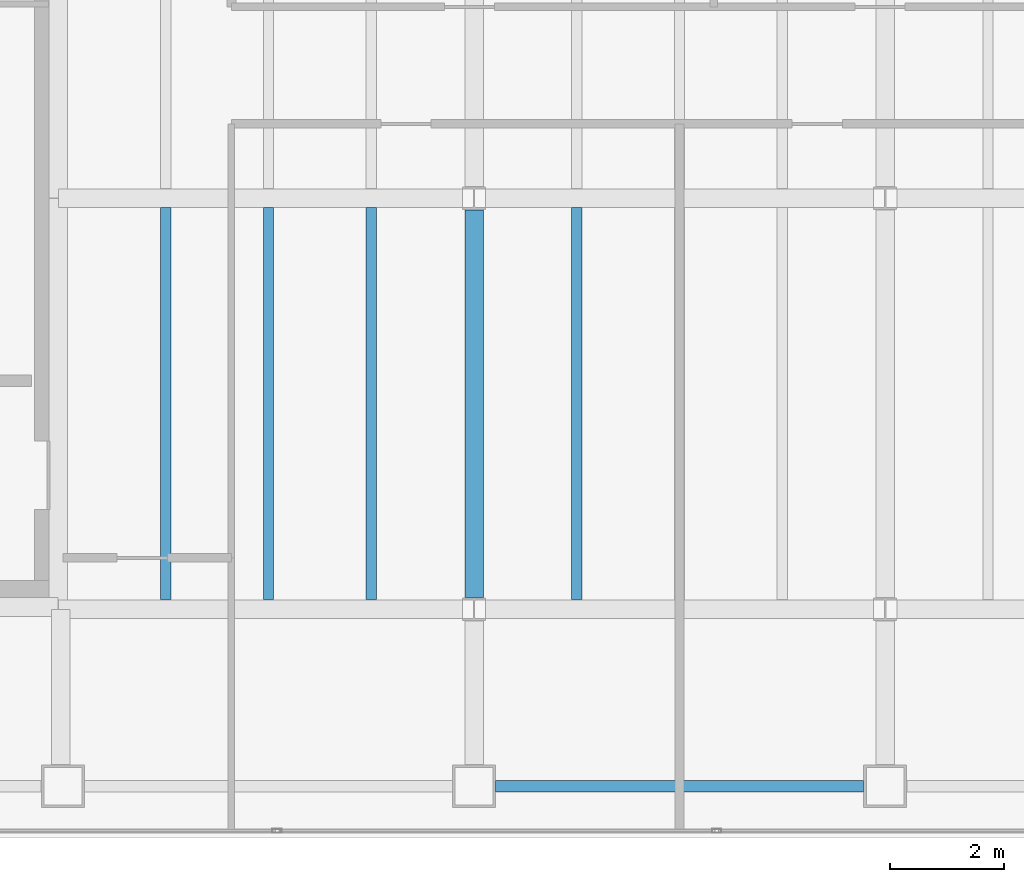
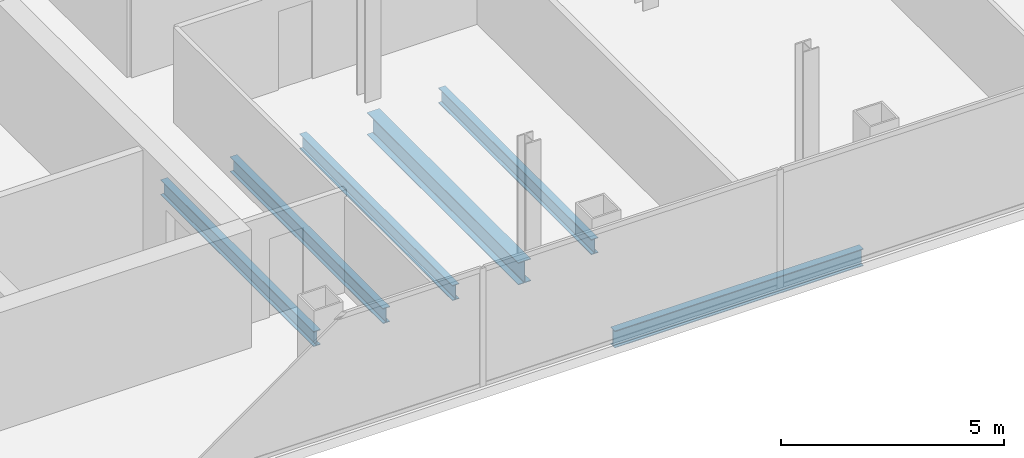
# One storey, part 5 of 23: 6 beams.
"""IFC4 building model written with IfcOpenShell, lengths in metres."""

import ifcopenshell
import ifcopenshell.guid

model = None  # the IFC model being written
_history = None  # IfcOwnerHistory: only IFC2X3 demands one
_inside = {}  # id of a spatial element -> (the spatial element, [elements in it])
_under = {}  # id of a project, library or spatial element -> (it, [spatial elements below it])
_declared = {}  # id of a project -> (the project, [libraries it declares])
_typed = {}  # id of a type object -> (the type object, [elements of that type])
_made_of = {}  # id of a material, layer set ... -> (it, [elements and type objects made of it])


def new_model(schema):
    """Start an empty IFC model of exactly this schema.

    Asked for "IFC4X3", IfcOpenShell would pick the latest addendum, in which some entities
    have other attributes; the version numbers below select the first issue.
    IFC2X3 requires an IfcOwnerHistory on every rooted entity: one is made here for all.
    """
    global model, _history
    if schema == "IFC4X3":
        model = ifcopenshell.file(schema_version=(4, 3, 0, 0))
    else:
        model = ifcopenshell.file(schema=schema)
    _inside.clear()
    _under.clear()
    _declared.clear()
    _typed.clear()
    _made_of.clear()
    _history = None
    if model.schema == "IFC2X3":
        org = make("IfcOrganization", Name="unknown")
        user = make(
            "IfcPersonAndOrganization",
            ThePerson=make("IfcPerson", FamilyName="unknown"),
            TheOrganization=org,
        )
        app = make(
            "IfcApplication",
            ApplicationDeveloper=org,
            Version="unknown",
            ApplicationFullName="unknown",
            ApplicationIdentifier="unknown",
        )
        _history = make(
            "IfcOwnerHistory",
            OwningUser=user,
            OwningApplication=app,
            ChangeAction="ADDED",
            CreationDate=0,
        )
    return model


def make(cls, **values):
    """One entity of the class cls with the attributes given. An attribute that is None is left unset."""
    return model.create_entity(
        cls, **{name: value for name, value in values.items() if value is not None}
    )


def rooted(cls, **values):
    """An entity with a GlobalId (a new one), such as an element, a storey or a relation."""
    return make(cls, GlobalId=ifcopenshell.guid.new(), OwnerHistory=_history, **values)


def si_unit(unit_type, name, prefix=None):
    """IfcSIUnit, for example si_unit("LENGTHUNIT", "METRE", prefix="MILLI")."""
    return make("IfcSIUnit", UnitType=unit_type, Prefix=prefix, Name=name)


def assignment(units):
    """IfcUnitAssignment: the units of a project."""
    return None if units is None else make("IfcUnitAssignment", Units=units)


def point(xyz):
    """IfcCartesianPoint."""
    return None if xyz is None else make("IfcCartesianPoint", Coordinates=xyz)


def direction(xyz):
    """IfcDirection."""
    return None if xyz is None else make("IfcDirection", DirectionRatios=xyz)


def frame(location, z_axis=None, x_axis=None):
    """IfcAxis2Placement3D, a coordinate frame: its origin and axes. An axis left out is left unset."""
    return make(
        "IfcAxis2Placement3D",
        Location=point(location),
        Axis=direction(z_axis),
        RefDirection=direction(x_axis),
    )


def frame_2d(location, x_axis=None):
    """IfcAxis2Placement2D, a coordinate frame in the plane: its origin and x axis."""
    return make(
        "IfcAxis2Placement2D", Location=point(location), RefDirection=direction(x_axis)
    )


def origin():
    """The frame at (0, 0, 0) with its axes left unset."""
    return frame((0.0, 0.0, 0.0))


def origin_2d():
    """The frame at (0, 0) in the plane with its x axis left unset."""
    return frame_2d((0.0, 0.0))


def place(relative_to, where):
    """IfcLocalPlacement: puts the frame where relative to a parent placement (None: the world)."""
    return make(
        "IfcLocalPlacement", PlacementRelTo=relative_to, RelativePlacement=where
    )


def context(
    kind, dimensions, precision=None, world=None, true_north=None, identifier=None
):
    """IfcGeometricRepresentationContext, for example the 3D "Model" context."""
    return make(
        "IfcGeometricRepresentationContext",
        ContextIdentifier=identifier,
        ContextType=kind,
        CoordinateSpaceDimension=dimensions,
        Precision=precision,
        WorldCoordinateSystem=world,
        TrueNorth=true_north,
    )


def subcontext(parent, identifier, kind, view, scale=None):
    """IfcGeometricRepresentationSubContext, for example "Body" below "Model"."""
    return make(
        "IfcGeometricRepresentationSubContext",
        ContextIdentifier=identifier,
        ContextType=kind,
        ParentContext=parent,
        TargetScale=scale,
        TargetView=view,
    )


def project(units=None, contexts=None):
    """IfcProject with its units and contexts."""
    return rooted(
        "IfcProject",
        Name="project",
        RepresentationContexts=contexts,
        UnitsInContext=assignment(units),
    )


def spatial(cls, under=None, at=None, **own):
    """A site, building, storey or space (cls), placed at a placement, below another one or the project."""
    s = rooted(cls, ObjectPlacement=at, **own)
    if under is not None:
        _under.setdefault(under.id(), (under, []))[1].append(s)
    return s


def profile(cls, at=None, kind="AREA", **sizes):
    """A parametric profile (cls). Its sizes go by their IFC names, for example OverallWidth=200.0."""
    return make(cls, ProfileType=kind, Position=at, **sizes)


def i_section(**sizes):
    """IfcIShapeProfileDef."""
    return profile("IfcIShapeProfileDef", **sizes)


def extrude(swept, where, along, depth):
    """IfcExtrudedAreaSolid: the profile swept, set in the frame where, extruded along a direction by depth."""
    return make(
        "IfcExtrudedAreaSolid",
        SweptArea=swept,
        Position=where,
        ExtrudedDirection=direction(along),
        Depth=depth,
    )


def shape(context_of_items, identifier, shape_type, items):
    """IfcShapeRepresentation: the items that make up one representation, for example the "Body"."""
    return make(
        "IfcShapeRepresentation",
        ContextOfItems=context_of_items,
        RepresentationIdentifier=identifier,
        RepresentationType=shape_type,
        Items=items,
    )


def material(Name=None, Category=None):
    """IfcMaterial."""
    return make("IfcMaterial", Name=Name, Category=Category)


def material_profile(
    of_material, cross_section, Name=None, Category=None, Priority=None
):
    """IfcMaterialProfile: a cross section and its material."""
    return make(
        "IfcMaterialProfile",
        Name=Name,
        Material=of_material,
        Profile=cross_section,
        Priority=Priority,
        Category=Category,
    )


def profile_set(profiles, Name=None, composite=None):
    """IfcMaterialProfileSet."""
    return make(
        "IfcMaterialProfileSet",
        Name=Name,
        MaterialProfiles=profiles,
        CompositeProfile=composite,
    )


def made_of(thing, what):
    """Note that an element or type object is made of a material, layer set ...; save() writes the relation."""
    if what is not None:
        _made_of.setdefault(what.id(), (what, []))[1].append(thing)
    return thing


def type_object(cls, material=None, **own):
    """A type object (cls), such as IfcWallType, which elements share."""
    return made_of(rooted(cls, **own), material)


def element(
    cls,
    number,
    at=None,
    inside=None,
    cuts=None,
    type_object=None,
    material=None,
    context=None,
    identifier="Body",
    shape_type=None,
    held_by="IfcProductDefinitionShape",
    body=None,
    shapes=None,
    **own,
):
    """One element of the class cls, such as IfcWall. Its Tag is "e" and its number.

    at: its placement. inside: the storey or other place that contains it. cuts: it is an
    opening in that element (IfcRelVoidsElement). A single representation is given by context,
    identifier, shape_type and body (its items); several are given by shapes. held_by: the class
    of the entity that holds the representations. save() writes the other relations.
    """
    e = rooted(cls, Tag="e%d" % number, ObjectPlacement=at, **own)
    if body is not None:
        shapes = [shape(context, identifier, shape_type, body)]
    if shapes is not None:
        e.Representation = make(held_by, Representations=shapes)
    if inside is not None:
        _inside.setdefault(inside.id(), (inside, []))[1].append(e)
    if cuts is not None:
        rooted(
            "IfcRelVoidsElement", RelatingBuildingElement=cuts, RelatedOpeningElement=e
        )
    if type_object is not None:
        _typed.setdefault(type_object.id(), (type_object, []))[1].append(e)
    return made_of(e, material)


def aggregate(whole, parts):
    """IfcRelAggregates: a whole, such as a stair, and the parts it consists of."""
    return rooted("IfcRelAggregates", RelatingObject=whole, RelatedObjects=parts)


def save(model, path):
    """Write the relations noted so far, then the file.

    IfcRelAggregates (storeys below a building ...), IfcRelContainedInSpatialStructure (elements
    in a storey), IfcRelDefinesByType, IfcRelAssociatesMaterial and IfcRelDeclares: one each for
    every whole, place, type object, material and project.
    """
    for whole, parts in _under.values():
        aggregate(whole, parts)
    for where, things in _inside.values():
        rooted(
            "IfcRelContainedInSpatialStructure",
            RelatedElements=things,
            RelatingStructure=where,
        )
    for kind, things in _typed.values():
        rooted("IfcRelDefinesByType", RelatedObjects=things, RelatingType=kind)
    for what, things in _made_of.values():
        rooted("IfcRelAssociatesMaterial", RelatedObjects=things, RelatingMaterial=what)
    for by, libraries in _declared.values():
        rooted("IfcRelDeclares", RelatingContext=by, RelatedDefinitions=libraries)
    model.write(path)


model = new_model("IFC4")

# Units and contexts
model_context = context("Model", 3, precision=1e-05, world=origin(), true_north=direction((0.0, 1.0)))
body_context = subcontext(model_context, "Body", "Model", "MODEL_VIEW")
ifc_project = project(units=[si_unit("LENGTHUNIT", "METRE"), si_unit("AREAUNIT", "SQUARE_METRE"), si_unit("VOLUMEUNIT", "CUBIC_METRE"), si_unit("PLANEANGLEUNIT", "RADIAN"), si_unit("MASSUNIT", "GRAM", prefix="KILO")], contexts=[model_context])

# Site, building, storey
site_placement = place(None, origin())
site = spatial("IfcSite", under=ifc_project, at=site_placement, CompositionType="ELEMENT")
building_placement = place(site_placement, origin())
building = spatial("IfcBuilding", under=site, at=building_placement, Name="Cobrela Telecom Tower", CompositionType="ELEMENT")
storey_placement = place(building_placement, frame((0.0, 0.0, 211.75)))
storey = spatial("IfcBuildingStorey", under=building, at=storey_placement, Name="L54", CompositionType="ELEMENT", Elevation=211.75)

# Beams
ifc_material = material(Name="Steel ASTM A992 Grade 50", Category="steel")
ifc_material_profile_1 = material_profile(ifc_material, i_section(OverallWidth=0.324951171875, OverallDepth=0.612060546875, WebThickness=0.0126953125, FlangeThickness=0.01904296875, FilletRadius=0.014892578125, at=origin_2d()), Name="W24X104")
ifc_profile_set_1 = profile_set([ifc_material_profile_1], Name="Steel ASTM A992 Grade 50")
beam_type_1 = type_object("IfcBeamType", Name="BM-GIRD-07", PredefinedType="USERDEFINED", material=ifc_profile_set_1)
beam_1_placement = place(storey_placement, frame((21.60009765625, 7.404541015625, -0.56591796875), z_axis=(0.0, 1.0, 0.0), x_axis=(-1.0, 0.0, 0.0)))
element("IfcBeam", 1, at=beam_1_placement, inside=storey, type_object=beam_type_1, Name="L54 Primary Girder Y33", ObjectType="GIRDER", PredefinedType="USERDEFINED", context=body_context, shape_type="SweptSolid", body=[
    extrude(i_section(OverallWidth=0.324951171875, OverallDepth=0.612060546875, WebThickness=0.0126953125, FlangeThickness=0.01904296875, FilletRadius=0.014892578125, at=origin_2d()), origin(), (0.0, 0.0, 1.0), 6.791015625),
])
ifc_material_profile_2 = material_profile(ifc_material, i_section(OverallWidth=0.179931640625, OverallDepth=0.4169921875, WebThickness=0.010986328125, FlangeThickness=0.01806640625, FilletRadius=0.011962890625, at=origin_2d()), Name="W16X57")
ifc_profile_set_2 = profile_set([ifc_material_profile_2], Name="Steel ASTM A992 Grade 50")
beam_type_2 = type_object("IfcBeamType", Name="BM-JOIST-04", PredefinedType="JOIST", material=ifc_profile_set_2)
for number, where, z_axis, x_axis, name in (
    (2, (16.199951171875, 7.367431640625, -0.468505859375), (0.0, 1.0, 0.0), (-1.0, 0.0, 0.0), "L54 Secondary Composite Floor Beam J01"),
    (3, (18.0, 7.367431640625, -0.468505859375), (0.0, 1.0, 0.0), (-1.0, 0.0, 0.0), "L54 Secondary Composite Floor Beam J05"),
    (4, (19.800048828125, 7.367431640625, -0.468505859375), (0.0, 1.0, 0.0), (-1.0, 0.0, 0.0), "L54 Secondary Composite Floor Beam J09"),
    (5, (23.39990234375, 7.367431640625, -0.468505859375), (0.0, 1.0, 0.0), (-1.0, 0.0, 0.0), "L54 Secondary Composite Floor Beam J13"),
):
    element("IfcBeam", number, at=place(storey_placement, frame(where, z_axis=z_axis, x_axis=x_axis)), inside=storey, type_object=beam_type_2, Name=name, PredefinedType="JOIST", context=body_context, shape_type="SweptSolid", body=[
        extrude(i_section(OverallWidth=0.179931640625, OverallDepth=0.4169921875, WebThickness=0.010986328125, FlangeThickness=0.01806640625, FilletRadius=0.011962890625, at=origin_2d()), origin(), (0.0, 0.0, 1.0), 6.864990234375),
    ])
ifc_material_profile_3 = material_profile(ifc_material, i_section(OverallWidth=0.193115234375, OverallDepth=0.467041015625, WebThickness=0.011474609375, FlangeThickness=0.01904296875, FilletRadius=0.012939453125, at=origin_2d()), Name="W18X65")
ifc_profile_set_3 = profile_set([ifc_material_profile_3], Name="Steel ASTM A992 Grade 50")
beam_type_3 = type_object("IfcBeamType", Name="BM-SPAND-05", PredefinedType="SPANDREL", material=ifc_profile_set_3)
beam_2_placement = place(storey_placement, frame((21.97998046875, 4.10009765625, -0.493408203125), z_axis=(1.0, 0.0, 0.0), x_axis=(0.0, 1.0, 0.0)))
element("IfcBeam", 6, at=beam_2_placement, inside=storey, type_object=beam_type_3, Name="L54 Perimeter Spandrel X03", PredefinedType="SPANDREL", context=body_context, shape_type="SweptSolid", body=[
    extrude(i_section(OverallWidth=0.193115234375, OverallDepth=0.467041015625, WebThickness=0.011474609375, FlangeThickness=0.01904296875, FilletRadius=0.012939453125, at=origin_2d()), origin(), (0.0, 0.0, 1.0), 6.43994140625),
])

save(model, "model.ifc")
